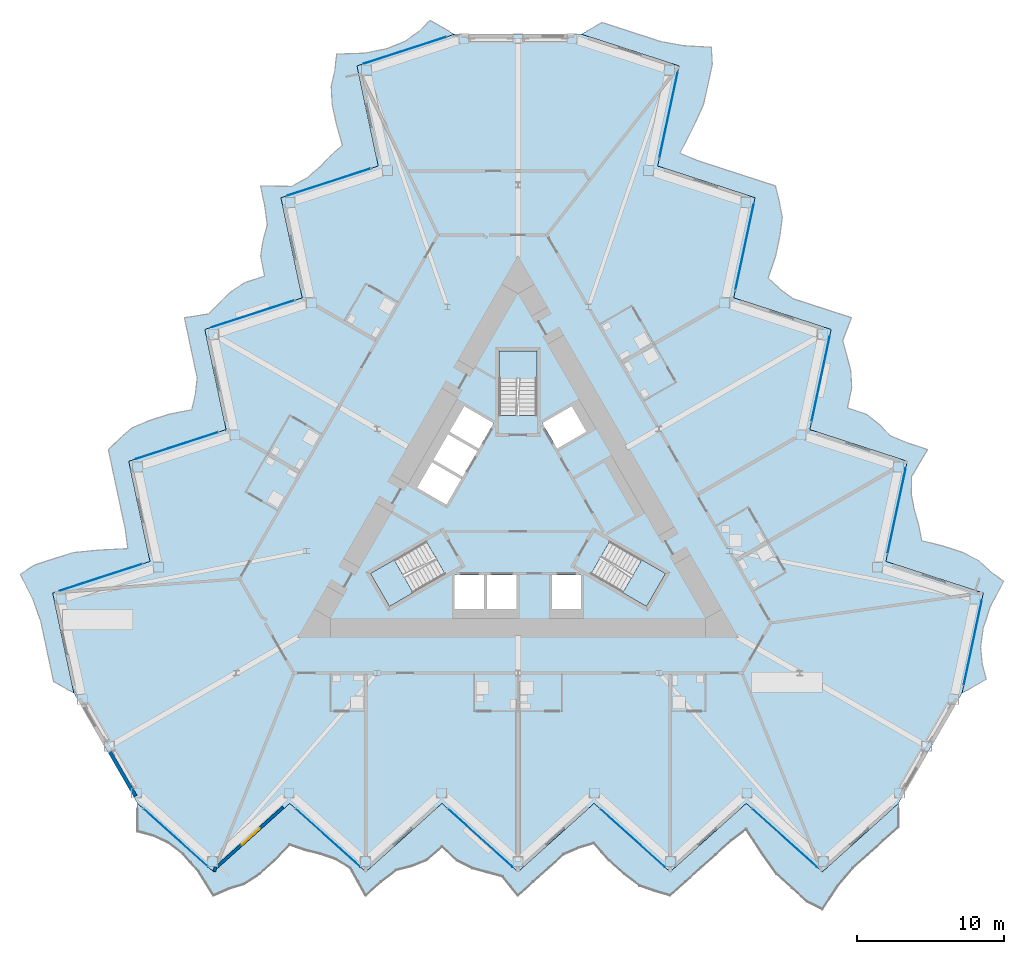
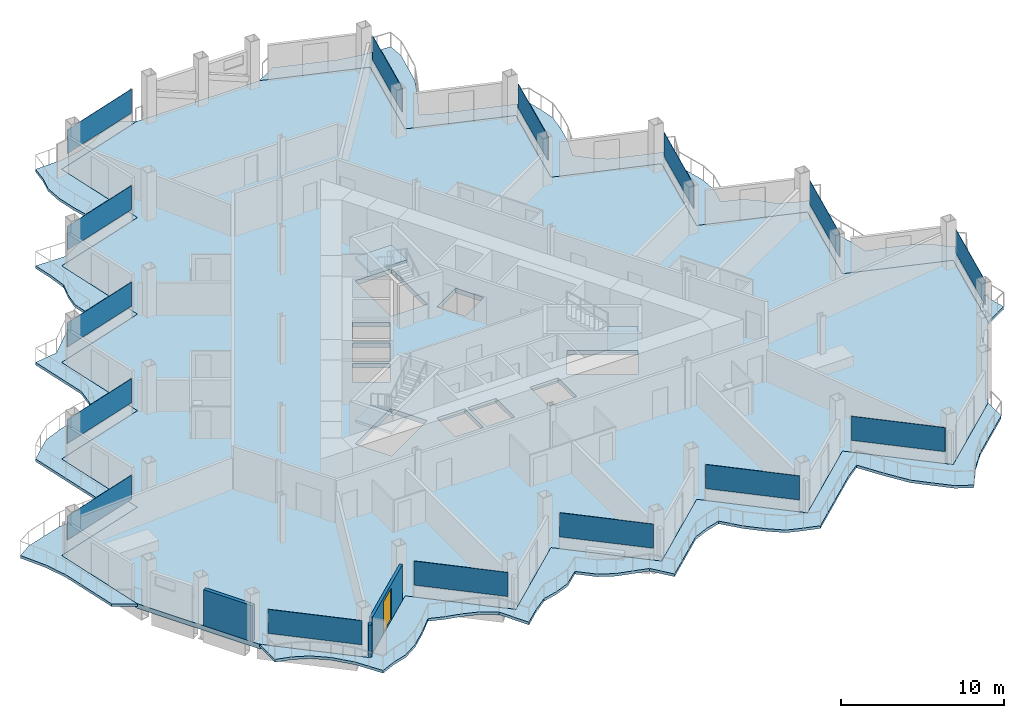
# One storey, part 10 of 24: 15 plates, 7 slabs, 3 walls, 1 door, 1 opening, 18 elements without a shape of their own.
"""IFC4 building model written with IfcOpenShell, lengths in metres."""

from ifc_helpers import new_model, si_unit, direction, frame, frame_2d, origin, origin_2d, place, context, subcontext, project, spatial, polyline, rectangle, outline, extrude, material, layer, layer_set, type_object, element, fill, aggregate, save


model = new_model("IFC4")

# Units and contexts
model_context = context("Model", 3, precision=1e-05, world=origin(), true_north=direction((0.0, 1.0)))
body_context = subcontext(model_context, "Body", "Model", "MODEL_VIEW")
ifc_project = project(units=[si_unit("LENGTHUNIT", "METRE"), si_unit("AREAUNIT", "SQUARE_METRE"), si_unit("VOLUMEUNIT", "CUBIC_METRE"), si_unit("PLANEANGLEUNIT", "RADIAN"), si_unit("MASSUNIT", "GRAM", prefix="KILO")], contexts=[model_context])

# Site, building, storey
site_placement = place(None, origin())
site = spatial("IfcSite", under=ifc_project, at=site_placement, CompositionType="ELEMENT")
building_placement = place(site_placement, origin())
building = spatial("IfcBuilding", under=site, at=building_placement, Name="Cormorant Prow Tower", CompositionType="ELEMENT")
storey_placement = place(building_placement, frame((0.0, 0.0, 231.0)))
storey = spatial("IfcBuildingStorey", under=building, at=storey_placement, Name="L50", CompositionType="ELEMENT", Elevation=231.0)

# Slabs
ifc_material_1 = material(Name="Concrete C40/50", Category="concrete")
ifc_layer_1 = layer(ifc_material_1, 0.199951171875)
ifc_layer_set_1 = layer_set([ifc_layer_1], Name="Concrete C40/50")
slab_type_1 = type_object("IfcSlabType", Name="Balcony slab 200", PredefinedType="FLOOR", material=ifc_layer_set_1)
slab_1_placement = place(storey_placement, frame((0.0, 0.0, -0.199951171875)))
element("IfcSlab", 1, at=slab_1_placement, inside=storey, type_object=slab_type_1, Name="Balcony slab S L50", PredefinedType="FLOOR", context=body_context, shape_type="SweptSolid", body=[
    extrude(outline(polyline([(-25.859619140625, -19.9228515625), (-25.859619140625, -21.82275390625), (-24.8251953125, -22.1044921875), (-23.790771484375, -22.575439453125), (-22.75634765625, -23.369873046875), (-21.721923828125, -24.52783203125), (-20.6875, -26.1796875), (-19.6533203125, -25.72021484375), (-18.618896484375, -25.407470703125), (-17.58447265625, -24.735595703125), (-16.550048828125, -23.80419921875), (-15.515625, -22.734375), (-14.4814453125, -23.08837890625), (-13.447021484375, -23.344970703125), (-12.41259765625, -23.700927734375), (-11.378173828125, -24.32373046875), (-10.34375, -26.1796875), (-9.309326171875, -25.248291015625), (-8.275146484375, -24.45166015625), (-7.24072265625, -24.1884765625), (-6.206298828125, -23.778564453125), (-5.171875, -22.872802734375), (-4.137451171875, -23.80419921875), (-3.10302734375, -24.32958984375), (-2.06884765625, -24.6103515625), (-1.034423828125, -24.892822265625), (0.0, -26.1796875), (1.034423828125, -25.248291015625), (2.06884765625, -24.31689453125), (3.10302734375, -23.385498046875), (4.137451171875, -22.932861328125), (5.171875, -22.618408203125), (6.206298828125, -23.80419921875), (7.24072265625, -24.735595703125), (8.275146484375, -25.52392578125), (9.309326171875, -25.8759765625), (10.34375, -26.1796875), (11.378173828125, -25.248291015625), (12.41259765625, -24.31689453125), (13.447021484375, -23.385498046875), (14.4814453125, -22.4541015625), (15.515625, -21.6640625), (16.550048828125, -23.26318359375), (17.58447265625, -24.7138671875), (18.618896484375, -25.6669921875), (19.6533203125, -26.598388671875), (20.6875, -27.117919921875), (21.721923828125, -25.534912109375), (22.75634765625, -24.31689453125), (23.790771484375, -23.385498046875), (24.8251953125, -22.4541015625), (25.859619140625, -21.52294921875), (25.859619140625, -19.9228515625), (24.8251953125, -20.854248046875), (23.790771484375, -21.78564453125), (22.75634765625, -22.717041015625), (21.721923828125, -23.648193359375), (20.6875, -24.57958984375), (19.6533203125, -23.648193359375), (18.618896484375, -22.717041015625), (17.58447265625, -21.78564453125), (16.550048828125, -20.854248046875), (15.515625, -19.9228515625), (14.4814453125, -20.854248046875), (13.447021484375, -21.78564453125), (12.41259765625, -22.717041015625), (11.378173828125, -23.648193359375), (10.34375, -24.57958984375), (9.309326171875, -23.648193359375), (8.275146484375, -22.717041015625), (7.24072265625, -21.78564453125), (6.206298828125, -20.854248046875), (5.171875, -19.9228515625), (4.137451171875, -20.854248046875), (3.10302734375, -21.78564453125), (2.06884765625, -22.717041015625), (1.034423828125, -23.648193359375), (0.0, -24.57958984375), (-1.034423828125, -23.648193359375), (-2.06884765625, -22.717041015625), (-3.10302734375, -21.78564453125), (-4.137451171875, -20.854248046875), (-5.171875, -19.9228515625), (-6.206298828125, -20.854248046875), (-7.24072265625, -21.78564453125), (-8.275146484375, -22.717041015625), (-9.309326171875, -23.648193359375), (-10.34375, -24.57958984375), (-11.378173828125, -23.648193359375), (-12.41259765625, -22.717041015625), (-13.447021484375, -21.78564453125), (-14.4814453125, -20.854248046875), (-15.515625, -19.9228515625), (-16.550048828125, -20.854248046875), (-17.58447265625, -21.78564453125), (-18.618896484375, -22.717041015625), (-19.6533203125, -23.648193359375), (-20.6875, -24.57958984375), (-21.721923828125, -23.648193359375), (-22.75634765625, -22.717041015625), (-23.790771484375, -21.78564453125), (-24.8251953125, -20.854248046875), (-25.859619140625, -19.9228515625)])), origin(), (0.0, 0.0, 1.0), 0.199951171875),
])
slab_2_placement = place(storey_placement, frame((0.0, 0.0, -0.199951171875)))
element("IfcSlab", 2, at=slab_2_placement, inside=storey, type_object=slab_type_1, Name="Balcony slab ENE L50", PredefinedType="FLOOR", context=body_context, shape_type="SweptSolid", body=[
    extrude(outline(polyline([(30.183349609375, -12.43359375), (31.828857421875, -11.483642578125), (31.5556640625, -10.447021484375), (31.4462890625, -9.315673828125), (31.6171875, -8.022705078125), (32.1025390625, -6.5478515625), (33.01611328125, -4.826171875), (32.10107421875, -4.16015625), (31.312744140625, -3.420654296875), (30.2138671875, -2.86083984375), (28.89013671875, -2.4306640625), (27.446533203125, -2.06982421875), (27.23583984375, -0.9970703125), (26.94091796875, 0.027099609375), (26.731689453125, 1.100830078125), (26.75390625, 2.30810546875), (27.84423828125, 4.1318359375), (26.520263671875, 4.56201171875), (25.313232421875, 5.059326171875), (24.568115234375, 5.823486328125), (23.696044921875, 6.514404296875), (22.39453125, 6.95751953125), (22.683837890625, 8.31884765625), (22.62158203125, 9.477294921875), (22.347412109375, 10.513427734375), (22.074951171875, 11.550537109375), (22.67236328125, 13.08984375), (21.348388671875, 13.52001953125), (20.024658203125, 13.949951171875), (18.700927734375, 14.380126953125), (17.79150390625, 15.049560546875), (17.002197265625, 15.788330078125), (17.511962890625, 17.27685546875), (17.80126953125, 18.638427734375), (17.966796875, 19.928466796875), (17.754638671875, 21.000244140625), (17.500244140625, 22.0478515625), (16.176513671875, 22.47802734375), (14.852783203125, 22.907958984375), (13.529052734375, 23.338134765625), (12.205322265625, 23.768310546875), (11.00390625, 24.26904296875), (11.871337890625, 25.96435546875), (12.610595703125, 27.58544921875), (12.918701171875, 28.957763671875), (13.208251953125, 30.3193359375), (13.14111328125, 31.474853515625), (11.2529296875, 31.579345703125), (9.680908203125, 31.865966796875), (8.357177734375, 32.296142578125), (7.033447265625, 32.726318359375), (5.70947265625, 33.156494140625), (4.323974609375, 32.3564453125), (5.647705078125, 31.92626953125), (6.971435546875, 31.49609375), (8.295166015625, 31.066162109375), (9.619140625, 30.635986328125), (10.94287109375, 30.205810546875), (10.6533203125, 28.84423828125), (10.364013671875, 27.48291015625), (10.07470703125, 26.121337890625), (9.78515625, 24.760009765625), (9.495849609375, 23.3984375), (10.819580078125, 22.96826171875), (12.143310546875, 22.5380859375), (13.467041015625, 22.108154296875), (14.791015625, 21.677978515625), (16.11474609375, 21.247802734375), (15.8251953125, 19.88623046875), (15.535888671875, 18.52490234375), (15.24658203125, 17.163330078125), (14.95703125, 15.802001953125), (14.667724609375, 14.4404296875), (15.991455078125, 14.01025390625), (17.315185546875, 13.580078125), (18.63916015625, 13.150146484375), (19.962890625, 12.719970703125), (21.28662109375, 12.289794921875), (20.997314453125, 10.928466796875), (20.707763671875, 9.56689453125), (20.41845703125, 8.205322265625), (20.129150390625, 6.843994140625), (19.839599609375, 5.482421875), (21.163330078125, 5.05224609375), (22.4873046875, 4.6220703125), (23.81103515625, 4.192138671875), (25.134765625, 3.761962890625), (26.45849609375, 3.331787109375), (26.169189453125, 1.970458984375), (25.879638671875, 0.60888671875), (25.59033203125, -0.752685546875), (25.301025390625, -2.114013671875), (25.011474609375, -3.4755859375), (26.335205078125, -3.90576171875), (27.6591796875, -4.335693359375), (28.98291015625, -4.765869140625), (30.306640625, -5.196044921875), (31.63037109375, -5.626220703125), (31.341064453125, -6.987548828125), (31.051513671875, -8.34912109375), (30.76220703125, -9.710693359375), (30.472900390625, -11.072021484375), (30.183349609375, -12.43359375)])), origin(), (0.0, 0.0, 1.0), 0.199951171875),
])
slab_3_placement = place(storey_placement, frame((0.0, 0.0, -0.199951171875)))
element("IfcSlab", 3, at=slab_3_placement, inside=storey, type_object=slab_type_1, Name="Balcony slab WNW L50", PredefinedType="FLOOR", context=body_context, shape_type="SweptSolid", body=[
    extrude(outline(polyline([(-4.323974609375, 32.3564453125), (-5.969482421875, 33.306396484375), (-6.73046875, 32.551513671875), (-7.655517578125, 31.89111328125), (-8.86083984375, 31.392578125), (-10.380615234375, 31.07568359375), (-12.328369140625, 31.005859375), (-12.44775390625, 29.88037109375), (-12.694091796875, 28.828125), (-12.62939453125, 27.596435546875), (-12.340087890625, 26.23486328125), (-11.9306640625, 24.80419921875), (-12.75439453125, 24.08544921875), (-13.493896484375, 23.31787109375), (-14.3193359375, 22.60009765625), (-15.375732421875, 22.015625), (-17.500244140625, 22.0478515625), (-17.2109375, 20.686279296875), (-17.0380859375, 19.39208984375), (-17.327392578125, 18.36474609375), (-17.48974609375, 17.26416015625), (-17.222412109375, 15.91552734375), (-18.54638671875, 15.4853515625), (-19.5185546875, 14.852294921875), (-20.27880859375, 14.0966796875), (-21.040771484375, 13.34228515625), (-22.67236328125, 13.08984375), (-22.3828125, 11.728271484375), (-22.093505859375, 10.366943359375), (-21.803955078125, 9.00537109375), (-21.92919921875, 7.88330078125), (-22.174072265625, 6.830322265625), (-23.71826171875, 6.52734375), (-25.0419921875, 6.09716796875), (-26.241943359375, 5.595458984375), (-27.06396484375, 4.875732421875), (-27.84423828125, 4.1318359375), (-27.5546875, 2.770263671875), (-27.265380859375, 1.408935546875), (-26.97607421875, 0.04736328125), (-26.6865234375, -1.314208984375), (-26.51953125, -2.60498046875), (-28.42138671875, -2.701171875), (-30.195068359375, -2.871826171875), (-31.53759765625, -3.291015625), (-32.861328125, -3.720947265625), (-33.82861328125, -4.35693359375), (-32.974853515625, -6.04443359375), (-32.437255859375, -7.549072265625), (-32.14794921875, -8.91064453125), (-31.8583984375, -10.27197265625), (-31.569091796875, -11.633544921875), (-30.183349609375, -12.43359375), (-30.472900390625, -11.072021484375), (-30.76220703125, -9.710693359375), (-31.051513671875, -8.34912109375), (-31.341064453125, -6.987548828125), (-31.63037109375, -5.626220703125), (-30.306640625, -5.196044921875), (-28.98291015625, -4.765869140625), (-27.6591796875, -4.335693359375), (-26.335205078125, -3.90576171875), (-25.011474609375, -3.4755859375), (-25.301025390625, -2.114013671875), (-25.59033203125, -0.752685546875), (-25.879638671875, 0.60888671875), (-26.169189453125, 1.970458984375), (-26.45849609375, 3.331787109375), (-25.134765625, 3.761962890625), (-23.81103515625, 4.192138671875), (-22.4873046875, 4.6220703125), (-21.163330078125, 5.05224609375), (-19.839599609375, 5.482421875), (-20.129150390625, 6.843994140625), (-20.41845703125, 8.205322265625), (-20.707763671875, 9.56689453125), (-20.997314453125, 10.928466796875), (-21.28662109375, 12.289794921875), (-19.962890625, 12.719970703125), (-18.63916015625, 13.150146484375), (-17.315185546875, 13.580078125), (-15.991455078125, 14.01025390625), (-14.667724609375, 14.4404296875), (-14.95703125, 15.802001953125), (-15.24658203125, 17.163330078125), (-15.535888671875, 18.52490234375), (-15.8251953125, 19.88623046875), (-16.11474609375, 21.247802734375), (-14.791015625, 21.677978515625), (-13.467041015625, 22.108154296875), (-12.143310546875, 22.5380859375), (-10.819580078125, 22.96826171875), (-9.495849609375, 23.3984375), (-9.78515625, 24.760009765625), (-10.07470703125, 26.121337890625), (-10.364013671875, 27.48291015625), (-10.6533203125, 28.84423828125), (-10.94287109375, 30.205810546875), (-9.619140625, 30.635986328125), (-8.295166015625, 31.066162109375), (-6.971435546875, 31.49609375), (-5.647705078125, 31.92626953125), (-4.323974609375, 32.3564453125)])), origin(), (0.0, 0.0, 1.0), 0.199951171875),
])

# Curtain wall, plate
ifc_material_2 = material(Name="Aluminium 6063-T6", Category="aluminium")
ifc_layer_2 = layer(ifc_material_2, 0.179931640625)
ifc_layer_set_2 = layer_set([ifc_layer_2], Name="Aluminium 6063-T6")
curtain_wall_type = type_object("IfcCurtainWallType", Name="Hotel unitised curtain wall 180", PredefinedType="NOTDEFINED", material=ifc_layer_set_2)
curtain_wall_1_placement = place(storey_placement, origin())
curtain_wall_1 = element("IfcCurtainWall", 4, at=curtain_wall_1_placement, inside=storey, type_object=curtain_wall_type, Name="Hotel curtain wall S00", PredefinedType="NOTDEFINED")
ifc_material_3 = material(Name="Clear glass", Category="glass")
ifc_layer_3 = layer(ifc_material_3, 0.028076171875)
ifc_layer_set_3 = layer_set([ifc_layer_3], Name="Clear glass")
plate_type = type_object("IfcPlateType", Name="Hotel glass panel 28", PredefinedType="CURTAIN_PANEL", material=ifc_layer_set_3)
plate_1_placement = place(storey_placement, frame((-23.251220703125, -22.271240234375, 0.900146484375), z_axis=(0.0, 0.0, 1.0), x_axis=(0.743144795265, -0.669130639913, 0.0)))
plate_1 = element("IfcPlate", 5, at=plate_1_placement, type_object=plate_type, Name="Hotel glass panel S00", PredefinedType="CURTAIN_PANEL", context=body_context, shape_type="SweptSolid", body=[
    extrude(rectangle(XDim=5.8974609375, YDim=0.028076171875, at=origin_2d()), origin(), (0.0, 0.0, 1.0), 1.80078125),
])
aggregate(curtain_wall_1, [plate_1])

curtain_wall_2_placement = place(storey_placement, origin())
curtain_wall_2 = element("IfcCurtainWall", 6, at=curtain_wall_2_placement, inside=storey, type_object=curtain_wall_type, Name="Hotel curtain wall S02", PredefinedType="NOTDEFINED")
plate_2_placement = place(storey_placement, frame((-12.907470703125, -22.271240234375, 0.900146484375), z_axis=(0.0, 0.0, 1.0), x_axis=(0.743144795265, -0.669130639913, 0.0)))
plate_2 = element("IfcPlate", 7, at=plate_2_placement, type_object=plate_type, Name="Hotel glass panel S02", PredefinedType="CURTAIN_PANEL", context=body_context, shape_type="SweptSolid", body=[
    extrude(rectangle(XDim=5.8974609375, YDim=0.028076171875, at=origin_2d()), origin(), (0.0, 0.0, 1.0), 1.80078125),
])
aggregate(curtain_wall_2, [plate_2])

curtain_wall_3_placement = place(storey_placement, origin())
curtain_wall_3 = element("IfcCurtainWall", 8, at=curtain_wall_3_placement, inside=storey, type_object=curtain_wall_type, Name="Hotel curtain wall S04", PredefinedType="NOTDEFINED")
plate_3_placement = place(storey_placement, frame((-2.563720703125, -22.271240234375, 0.900146484375), z_axis=(0.0, 0.0, 1.0), x_axis=(0.74314485959, -0.669130568473, 0.0)))
plate_3 = element("IfcPlate", 9, at=plate_3_placement, type_object=plate_type, Name="Hotel glass panel S04", PredefinedType="CURTAIN_PANEL", context=body_context, shape_type="SweptSolid", body=[
    extrude(rectangle(XDim=5.8974609375, YDim=0.028076171875, at=origin_2d()), origin(), (0.0, 0.0, 1.0), 1.80078125),
])
aggregate(curtain_wall_3, [plate_3])

curtain_wall_4_placement = place(storey_placement, origin())
curtain_wall_4 = element("IfcCurtainWall", 10, at=curtain_wall_4_placement, inside=storey, type_object=curtain_wall_type, Name="Hotel curtain wall S06", PredefinedType="NOTDEFINED")
plate_4_placement = place(storey_placement, frame((7.780029296875, -22.271240234375, 0.900146484375), z_axis=(0.0, 0.0, 1.0), x_axis=(0.743144795265, -0.669130639913, 0.0)))
plate_4 = element("IfcPlate", 11, at=plate_4_placement, type_object=plate_type, Name="Hotel glass panel S06", PredefinedType="CURTAIN_PANEL", context=body_context, shape_type="SweptSolid", body=[
    extrude(rectangle(XDim=5.8974609375, YDim=0.028076171875, at=origin_2d()), origin(), (0.0, 0.0, 1.0), 1.80078125),
])
aggregate(curtain_wall_4, [plate_4])

curtain_wall_5_placement = place(storey_placement, origin())
curtain_wall_5 = element("IfcCurtainWall", 12, at=curtain_wall_5_placement, inside=storey, type_object=curtain_wall_type, Name="Hotel curtain wall S08", PredefinedType="NOTDEFINED")
plate_5_placement = place(storey_placement, frame((18.1240234375, -22.271240234375, 0.900146484375), z_axis=(0.0, 0.0, 1.0), x_axis=(0.74314485959, -0.669130568473, 0.0)))
plate_5 = element("IfcPlate", 13, at=plate_5_placement, type_object=plate_type, Name="Hotel glass panel S08", PredefinedType="CURTAIN_PANEL", context=body_context, shape_type="SweptSolid", body=[
    extrude(rectangle(XDim=5.8974609375, YDim=0.028076171875, at=origin_2d()), origin(), (0.0, 0.0, 1.0), 1.80078125),
])
aggregate(curtain_wall_5, [plate_5])

curtain_wall_6_placement = place(storey_placement, origin())
curtain_wall_6 = element("IfcCurtainWall", 14, at=curtain_wall_6_placement, inside=storey, type_object=curtain_wall_type, Name="Hotel curtain wall ENE00", PredefinedType="NOTDEFINED")
plate_6_placement = place(storey_placement, frame((30.9130859375, -9.00048828125, 0.900146484375), z_axis=(0.0, 0.0, 1.0), x_axis=(0.207911646089, 0.978147610241, 0.0)))
plate_6 = element("IfcPlate", 15, at=plate_6_placement, type_object=plate_type, Name="Hotel glass panel ENE00", PredefinedType="CURTAIN_PANEL", context=body_context, shape_type="SweptSolid", body=[
    extrude(rectangle(XDim=5.8974609375, YDim=0.028076171875, at=origin_2d()), origin(), (0.0, 0.0, 1.0), 1.80078125),
])
aggregate(curtain_wall_6, [plate_6])

curtain_wall_7_placement = place(storey_placement, origin())
curtain_wall_7 = element("IfcCurtainWall", 16, at=curtain_wall_7_placement, inside=storey, type_object=curtain_wall_type, Name="Hotel curtain wall ENE02", PredefinedType="NOTDEFINED")
plate_7_placement = place(storey_placement, frame((25.7412109375, -0.04248046875, 0.900146484375), z_axis=(0.0, 0.0, 1.0), x_axis=(0.207911783569, 0.978147581019, 0.0)))
plate_7 = element("IfcPlate", 17, at=plate_7_placement, type_object=plate_type, Name="Hotel glass panel ENE02", PredefinedType="CURTAIN_PANEL", context=body_context, shape_type="SweptSolid", body=[
    extrude(rectangle(XDim=5.8974609375, YDim=0.028076171875, at=origin_2d()), origin(), (0.0, 0.0, 1.0), 1.80078125),
])
aggregate(curtain_wall_7, [plate_7])

curtain_wall_8_placement = place(storey_placement, origin())
curtain_wall_8 = element("IfcCurtainWall", 18, at=curtain_wall_8_placement, inside=storey, type_object=curtain_wall_type, Name="Hotel curtain wall ENE04", PredefinedType="NOTDEFINED")
plate_8_placement = place(storey_placement, frame((20.5693359375, 8.91552734375, 0.900146484375), z_axis=(0.0, 0.0, 1.0), x_axis=(0.207911675316, 0.978147604029, 0.0)))
plate_8 = element("IfcPlate", 19, at=plate_8_placement, type_object=plate_type, Name="Hotel glass panel ENE04", PredefinedType="CURTAIN_PANEL", context=body_context, shape_type="SweptSolid", body=[
    extrude(rectangle(XDim=5.8974609375, YDim=0.028076171875, at=origin_2d()), origin(), (0.0, 0.0, 1.0), 1.80078125),
])
aggregate(curtain_wall_8, [plate_8])

curtain_wall_9_placement = place(storey_placement, origin())
curtain_wall_9 = element("IfcCurtainWall", 20, at=curtain_wall_9_placement, inside=storey, type_object=curtain_wall_type, Name="Hotel curtain wall ENE06", PredefinedType="NOTDEFINED")
plate_9_placement = place(storey_placement, frame((15.3974609375, 17.87353515625, 0.900146484375), z_axis=(0.0, 0.0, 1.0), x_axis=(0.207911812796, 0.978147574806, 0.0)))
plate_9 = element("IfcPlate", 21, at=plate_9_placement, type_object=plate_type, Name="Hotel glass panel ENE06", PredefinedType="CURTAIN_PANEL", context=body_context, shape_type="SweptSolid", body=[
    extrude(rectangle(XDim=5.8974609375, YDim=0.028076171875, at=origin_2d()), origin(), (0.0, 0.0, 1.0), 1.80078125),
])
aggregate(curtain_wall_9, [plate_9])

curtain_wall_10_placement = place(storey_placement, origin())
curtain_wall_10 = element("IfcCurtainWall", 22, at=curtain_wall_10_placement, inside=storey, type_object=curtain_wall_type, Name="Hotel curtain wall ENE08", PredefinedType="NOTDEFINED")
plate_10_placement = place(storey_placement, frame((10.2255859375, 26.83154296875, 0.900146484375), z_axis=(0.0, 0.0, 1.0), x_axis=(0.207911646089, 0.978147610241, 0.0)))
plate_10 = element("IfcPlate", 23, at=plate_10_placement, type_object=plate_type, Name="Hotel glass panel ENE08", PredefinedType="CURTAIN_PANEL", context=body_context, shape_type="SweptSolid", body=[
    extrude(rectangle(XDim=5.8974609375, YDim=0.028076171875, at=origin_2d()), origin(), (0.0, 0.0, 1.0), 1.80078125),
])
aggregate(curtain_wall_10, [plate_10])

curtain_wall_11_placement = place(storey_placement, origin())
curtain_wall_11 = element("IfcCurtainWall", 24, at=curtain_wall_11_placement, inside=storey, type_object=curtain_wall_type, Name="Hotel curtain wall WNW00", PredefinedType="NOTDEFINED")
plate_11_placement = place(storey_placement, frame((-7.661865234375, 31.271728515625, 0.900146484375), z_axis=(0.0, 0.0, 1.0), x_axis=(-0.951056530264, -0.309016951383, 0.0)))
plate_11 = element("IfcPlate", 25, at=plate_11_placement, type_object=plate_type, Name="Hotel glass panel WNW00", PredefinedType="CURTAIN_PANEL", context=body_context, shape_type="SweptSolid", body=[
    extrude(rectangle(XDim=5.8974609375, YDim=0.028076171875, at=origin_2d()), origin(), (0.0, 0.0, 1.0), 1.80078125),
])
aggregate(curtain_wall_11, [plate_11])

curtain_wall_12_placement = place(storey_placement, origin())
curtain_wall_12 = element("IfcCurtainWall", 26, at=curtain_wall_12_placement, inside=storey, type_object=curtain_wall_type, Name="Hotel curtain wall WNW02", PredefinedType="NOTDEFINED")
plate_12_placement = place(storey_placement, frame((-12.833740234375, 22.31396484375, 0.900146484375), z_axis=(0.0, 0.0, 1.0), x_axis=(-0.951056501755, -0.309017039126, 0.0)))
plate_12 = element("IfcPlate", 27, at=plate_12_placement, type_object=plate_type, Name="Hotel glass panel WNW02", PredefinedType="CURTAIN_PANEL", context=body_context, shape_type="SweptSolid", body=[
    extrude(rectangle(XDim=5.8974609375, YDim=0.028076171875, at=origin_2d()), origin(), (0.0, 0.0, 1.0), 1.80078125),
])
aggregate(curtain_wall_12, [plate_12])

curtain_wall_13_placement = place(storey_placement, origin())
curtain_wall_13 = element("IfcCurtainWall", 28, at=curtain_wall_13_placement, inside=storey, type_object=curtain_wall_type, Name="Hotel curtain wall WNW04", PredefinedType="NOTDEFINED")
plate_13_placement = place(storey_placement, frame((-18.005615234375, 13.35595703125, 0.900146484375), z_axis=(0.0, 0.0, 1.0), x_axis=(-0.951056501755, -0.309017039126, 0.0)))
plate_13 = element("IfcPlate", 29, at=plate_13_placement, type_object=plate_type, Name="Hotel glass panel WNW04", PredefinedType="CURTAIN_PANEL", context=body_context, shape_type="SweptSolid", body=[
    extrude(rectangle(XDim=5.8974609375, YDim=0.028076171875, at=origin_2d()), origin(), (0.0, 0.0, 1.0), 1.80078125),
])
aggregate(curtain_wall_13, [plate_13])

curtain_wall_14_placement = place(storey_placement, origin())
curtain_wall_14 = element("IfcCurtainWall", 30, at=curtain_wall_14_placement, inside=storey, type_object=curtain_wall_type, Name="Hotel curtain wall WNW06", PredefinedType="NOTDEFINED")
plate_14_placement = place(storey_placement, frame((-23.177490234375, 4.39794921875, 0.900146484375), z_axis=(0.0, 0.0, 1.0), x_axis=(-0.951056501755, -0.309017039126, 0.0)))
plate_14 = element("IfcPlate", 31, at=plate_14_placement, type_object=plate_type, Name="Hotel glass panel WNW06", PredefinedType="CURTAIN_PANEL", context=body_context, shape_type="SweptSolid", body=[
    extrude(rectangle(XDim=5.8974609375, YDim=0.028076171875, at=origin_2d()), origin(), (0.0, 0.0, 1.0), 1.80078125),
])
aggregate(curtain_wall_14, [plate_14])

curtain_wall_15_placement = place(storey_placement, origin())
curtain_wall_15 = element("IfcCurtainWall", 32, at=curtain_wall_15_placement, inside=storey, type_object=curtain_wall_type, Name="Hotel curtain wall WNW08", PredefinedType="NOTDEFINED")
plate_15_placement = place(storey_placement, frame((-28.349609375, -4.56005859375, 0.900146484375), z_axis=(0.0, 0.0, 1.0), x_axis=(-0.951056530264, -0.309016951383, 0.0)))
plate_15 = element("IfcPlate", 33, at=plate_15_placement, type_object=plate_type, Name="Hotel glass panel WNW08", PredefinedType="CURTAIN_PANEL", context=body_context, shape_type="SweptSolid", body=[
    extrude(rectangle(XDim=5.8974609375, YDim=0.028076171875, at=origin_2d()), origin(), (0.0, 0.0, 1.0), 1.80078125),
])
aggregate(curtain_wall_15, [plate_15])

# Slab
ifc_material_4 = material(Name="Concrete C40/50", Category="concrete")
ifc_layer_4 = layer(ifc_material_4, 0.35009765625)
ifc_layer_set_4 = layer_set([ifc_layer_4], Name="Concrete C40/50")
slab_type_2 = type_object("IfcSlabType", Name="Post-tensioned flat slab 350", PredefinedType="FLOOR", material=ifc_layer_set_4)
slab_4_placement = place(storey_placement, frame((0.0, 0.0, -0.35009765625)))
element("IfcSlab", 34, at=slab_4_placement, inside=storey, type_object=slab_type_2, Name="Floor slab L50", PredefinedType="FLOOR", context=body_context, shape_type="SweptSolid", body=[
    extrude(outline(polyline([(-9.495849609375, 23.3984375), (-16.11474609375, 21.247802734375), (-14.667724609375, 14.4404296875), (-21.28662109375, 12.289794921875), (-19.839599609375, 5.482421875), (-26.45849609375, 3.331787109375), (-25.011474609375, -3.4755859375), (-31.63037109375, -5.626220703125), (-30.183349609375, -12.43359375), (-28.021484375, -16.17822265625), (-25.859619140625, -19.9228515625), (-20.6875, -24.57958984375), (-15.515625, -19.9228515625), (-10.34375, -24.57958984375), (-5.171875, -19.9228515625), (0.0, -24.57958984375), (5.171875, -19.9228515625), (10.34375, -24.57958984375), (15.515625, -19.9228515625), (20.6875, -24.57958984375), (25.859619140625, -19.9228515625), (28.021484375, -16.17822265625), (30.183349609375, -12.43359375), (31.63037109375, -5.626220703125), (25.011474609375, -3.4755859375), (26.45849609375, 3.331787109375), (19.839599609375, 5.482421875), (21.28662109375, 12.289794921875), (14.667724609375, 14.4404296875), (16.11474609375, 21.247802734375), (9.495849609375, 23.3984375), (10.94287109375, 30.205810546875), (4.323974609375, 32.3564453125), (0.0, 32.3564453125), (-4.323974609375, 32.3564453125), (-10.94287109375, 30.205810546875), (-9.495849609375, 23.3984375)]), holes=[polyline([(-4.300048828125, -4.39990234375), (-2.300048828125, -4.39990234375), (-2.300048828125, -6.699951171875), (-4.300048828125, -6.699951171875), (-4.300048828125, -4.39990234375)]), polyline([(-0.10009765625, -4.39990234375), (-0.10009765625, -6.699951171875), (-2.10009765625, -6.699951171875), (-2.10009765625, -4.39990234375), (-0.10009765625, -4.39990234375)]), polyline([(4.300048828125, -6.699951171875), (2.300048828125, -6.699951171875), (2.300048828125, -4.39990234375), (4.300048828125, -4.39990234375), (4.300048828125, -6.699951171875)]), polyline([(4.65234375, 5.341796875), (2.660400390625, 4.19189453125), (1.660400390625, 5.923828125), (3.65234375, 7.073974609375), (4.65234375, 5.341796875)]), polyline([(-1.660400390625, 5.923828125), (-2.660400390625, 4.19189453125), (-4.65234375, 5.341796875), (-3.65234375, 7.073974609375), (-1.660400390625, 5.923828125)]), polyline([(-3.760498046875, 2.28662109375), (-5.75244140625, 3.4365234375), (-4.75244140625, 5.168701171875), (-2.760498046875, 4.018798828125), (-3.760498046875, 2.28662109375)]), polyline([(-6.852294921875, 1.53125), (-5.852294921875, 3.263427734375), (-3.860595703125, 2.11328125), (-4.860595703125, 0.38134765625), (-6.852294921875, 1.53125)]), polyline([(-4.947509765625, -4.3505859375), (-8.738037109375, -6.5390625), (-10.031982421875, -4.2978515625), (-6.241455078125, -2.109375), (-4.947509765625, -4.3505859375)]), polyline([(10.031982421875, -4.2978515625), (8.738037109375, -6.5390625), (4.947509765625, -4.3505859375), (6.241455078125, -2.109375), (10.031982421875, -4.2978515625)]), polyline([(1.2939453125, 10.8369140625), (1.2939453125, 6.459716796875), (-1.2939453125, 6.459716796875), (-1.2939453125, 10.8369140625), (1.2939453125, 10.8369140625)])]), origin(), (0.0, 0.0, 1.0), 0.35009765625),
])

# Stair, slab
ifc_material_5 = material(Name="Exit stair 20 risers")
stair_type = type_object("IfcStairType", Name="Exit stair 20 risers", PredefinedType="HALF_TURN_STAIR", material=ifc_material_5)
stair_1_placement = place(storey_placement, origin())
stair_1 = element("IfcStair", 35, at=stair_1_placement, inside=storey, type_object=stair_type, Name="L50 Exit stair ST1", PredefinedType="HALF_TURN_STAIR")
ifc_material_6 = material(Name="Concrete 5000 psi", Category="concrete")
ifc_layer_5 = layer(ifc_material_6, 0.199951171875)
ifc_layer_set_5 = layer_set([ifc_layer_5], Name="Concrete 5000 psi")
slab_type_3 = type_object("IfcSlabType", Name="Stair landing 200", PredefinedType="LANDING", material=ifc_layer_set_5)
slab_5_placement = place(storey_placement, frame((0.0, 0.0, 1.60009765625)))
slab_5 = element("IfcSlab", 36, at=slab_5_placement, type_object=slab_type_3, Name="ST1 landing 1", PredefinedType="LANDING", context=body_context, shape_type="SweptSolid", body=[
    extrude(outline(polyline([(-8.416748046875, -3.365234375), (-10.031982421875, -4.2978515625), (-8.738037109375, -6.5390625), (-7.122802734375, -5.6064453125), (-8.416748046875, -3.365234375)])), origin(), (0.0, 0.0, 1.0), 0.199951171875),
])
aggregate(stair_1, [slab_5])

stair_2_placement = place(storey_placement, origin())
stair_2 = element("IfcStair", 37, at=stair_2_placement, inside=storey, type_object=stair_type, Name="L50 Exit stair ST2", PredefinedType="HALF_TURN_STAIR")
slab_6_placement = place(storey_placement, frame((0.0, 0.0, 1.60009765625)))
slab_6 = element("IfcSlab", 38, at=slab_6_placement, type_object=slab_type_3, Name="ST2 landing 1", PredefinedType="LANDING", context=body_context, shape_type="SweptSolid", body=[
    extrude(outline(polyline([(7.122802734375, -5.6064453125), (8.738037109375, -6.5390625), (10.031982421875, -4.2978515625), (8.416748046875, -3.365234375), (7.122802734375, -5.6064453125)])), origin(), (0.0, 0.0, 1.0), 0.199951171875),
])
aggregate(stair_2, [slab_6])

stair_3_placement = place(storey_placement, origin())
stair_3 = element("IfcStair", 39, at=stair_3_placement, inside=storey, type_object=stair_type, Name="L50 Exit stair ST3", PredefinedType="HALF_TURN_STAIR")
slab_7_placement = place(storey_placement, frame((0.0, 0.0, 1.60009765625)))
slab_7 = element("IfcSlab", 40, at=slab_7_placement, type_object=slab_type_3, Name="ST3 landing 1", PredefinedType="LANDING", context=body_context, shape_type="SweptSolid", body=[
    extrude(outline(polyline([(1.2939453125, 8.971923828125), (1.2939453125, 10.8369140625), (-1.2939453125, 10.8369140625), (-1.2939453125, 8.971923828125), (1.2939453125, 8.971923828125)])), origin(), (0.0, 0.0, 1.0), 0.199951171875),
])
aggregate(stair_3, [slab_7])

# Walls
ifc_material_7 = material(Name="Gypsum board demising wall")
ifc_layer_6 = layer(ifc_material_7, 0.199951171875)
ifc_layer_set_6 = layer_set([ifc_layer_6], Name="Gypsum board demising wall")
wall_type_1 = type_object("IfcWallType", Name="Demising wall 200", PredefinedType="PARTITIONING", material=ifc_layer_set_6)
wall_1_placement = place(storey_placement, frame((-20.656005859375, -24.55126953125, 0.0), z_axis=(0.0, 0.0, 1.0), x_axis=(0.372801499492, 0.927911117498, 0.0)))
element("IfcWall", 41, at=wall_1_placement, inside=storey, type_object=wall_type_1, Name="Demising wall", PredefinedType="PARTITIONING", context=body_context, shape_type="SweptSolid", body=[
    extrude(rectangle(XDim=0.328125, YDim=0.199951171875, at=frame_2d((0.1640625, 0.0))), origin(), (0.0, 0.0, 1.0), 2.404296875),
])
ifc_material_8 = material(Name="Terracotta", Category="masonry")
ifc_layer_7 = layer(ifc_material_8, 0.25)
ifc_layer_set_7 = layer_set([ifc_layer_7], Name="Terracotta")
wall_type_2 = type_object("IfcWallType", Name="Terracotta bay wall 250", PredefinedType="SOLIDWALL", material=ifc_layer_set_7)
wall_2_placement = place(storey_placement, frame((-27.727783203125, -16.436767578125, 0.0), z_axis=(0.0, 0.0, 1.0), x_axis=(0.499987726745, -0.866032489635, 0.0)))
element("IfcWall", 42, at=wall_2_placement, inside=storey, type_object=wall_type_2, Name="Terracotta bay wall WSW01", PredefinedType="SOLIDWALL", context=body_context, shape_type="SweptSolid", body=[
    extrude(rectangle(XDim=3.4521484375, YDim=0.25, at=frame_2d((1.72607421875, 0.0))), origin(), (0.0, 0.0, 1.0), 2.700927734375),
])

# Wall, opening, door
ifc_material_9 = material(Name="Terracotta", Category="masonry")
ifc_layer_8 = layer(ifc_material_9, 0.199951171875)
ifc_layer_set_8 = layer_set([ifc_layer_8], Name="Terracotta")
wall_type_3 = type_object("IfcWallType", Name="Terracotta jamb wall 200", PredefinedType="SOLIDWALL", material=ifc_layer_set_8)
wall_3_placement = place(storey_placement, frame((-20.38232421875, -24.170166015625, 0.0), z_axis=(0.0, 0.0, 1.0), x_axis=(0.743161684399, 0.669111882155, 0.0)))
wall_3 = element("IfcWall", 43, at=wall_3_placement, inside=storey, type_object=wall_type_3, Name="Terracotta jamb wall S01", PredefinedType="SOLIDWALL", context=body_context, shape_type="SweptSolid", body=[
    extrude(rectangle(XDim=5.95751953125, YDim=0.199951171875, at=frame_2d((2.978759765625, 0.0))), origin(), (0.0, 0.0, 1.0), 2.700927734375),
])
opening_placement = place(wall_3_placement, frame((2.1787109375, 0.0, 0.0)))
opening = element("IfcOpeningElement", 44, at=opening_placement, cuts=wall_3, Name="Opening ED50.01", PredefinedType="OPENING", context=body_context, shape_type="SweptSolid", body=[
    extrude(rectangle(XDim=1.60009765625, YDim=2.39990234375, at=frame_2d((0.800048828125, 1.199951171875))), frame((0.0, 0.10986328125, 0.0), z_axis=(0.0, -1.0, 0.0), x_axis=(1.0, 0.0, 0.0)), (0.0, 0.0, 1.0), 0.219970703125),
])
ifc_material_10 = material(Name="Aluminium 6063-T6", Category="aluminium")
door_type = type_object("IfcDoorType", Name="Balcony door 1600x2400", OperationType="DOUBLE_DOOR_SINGLE_SWING", PredefinedType="DOOR", material=ifc_material_10)
door_placement = place(opening_placement, origin())
door = element("IfcDoor", 45, at=door_placement, inside=storey, type_object=door_type, Name="Balcony door S01 ED50.01", OperationType="DOUBLE_DOOR_SINGLE_SWING", OverallHeight=2.39990234375, OverallWidth=1.60009765625, PredefinedType="DOOR", context=body_context, shape_type="SweptSolid", body=[
    extrude(rectangle(XDim=1.60009765625, YDim=2.39990234375, at=frame_2d((0.800048828125, 1.199951171875))), frame((0.0, 0.02490234375, 0.0), z_axis=(0.0, -1.0, 0.0), x_axis=(1.0, 0.0, 0.0)), (0.0, 0.0, 1.0), 0.050048828125),
])
fill(opening, door)

save(model, "model.ifc")
